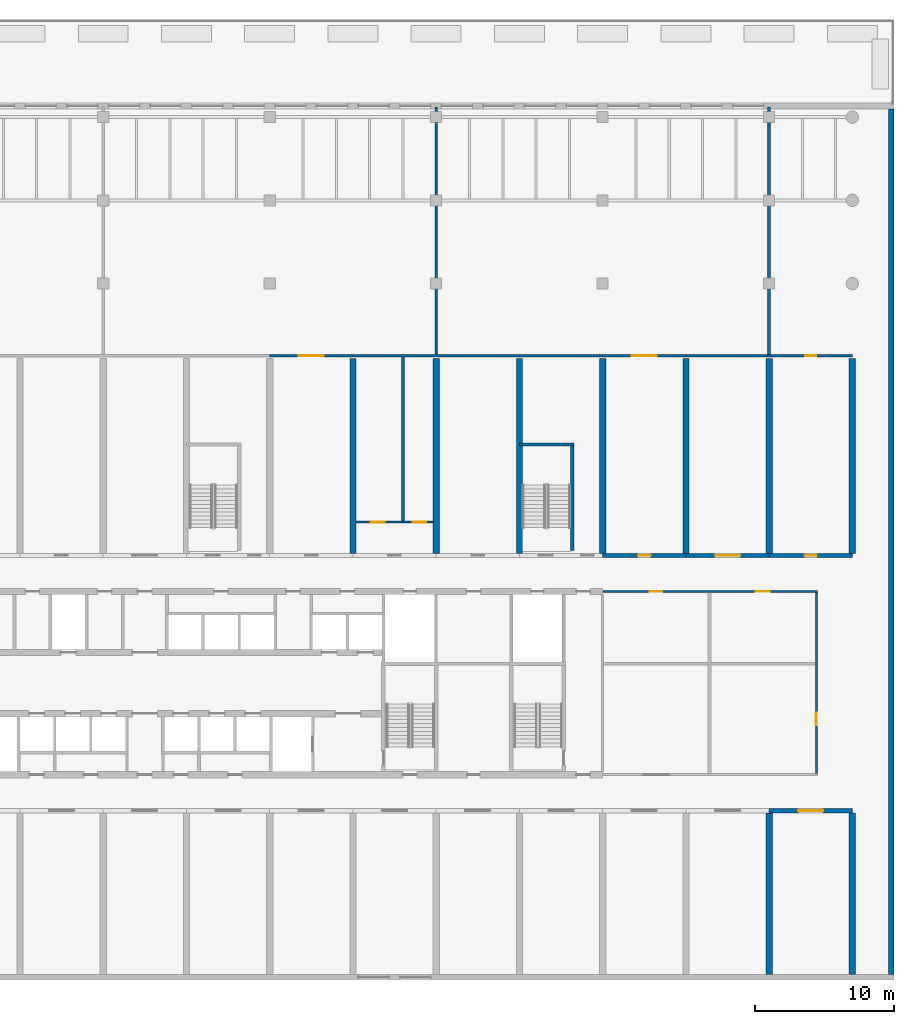
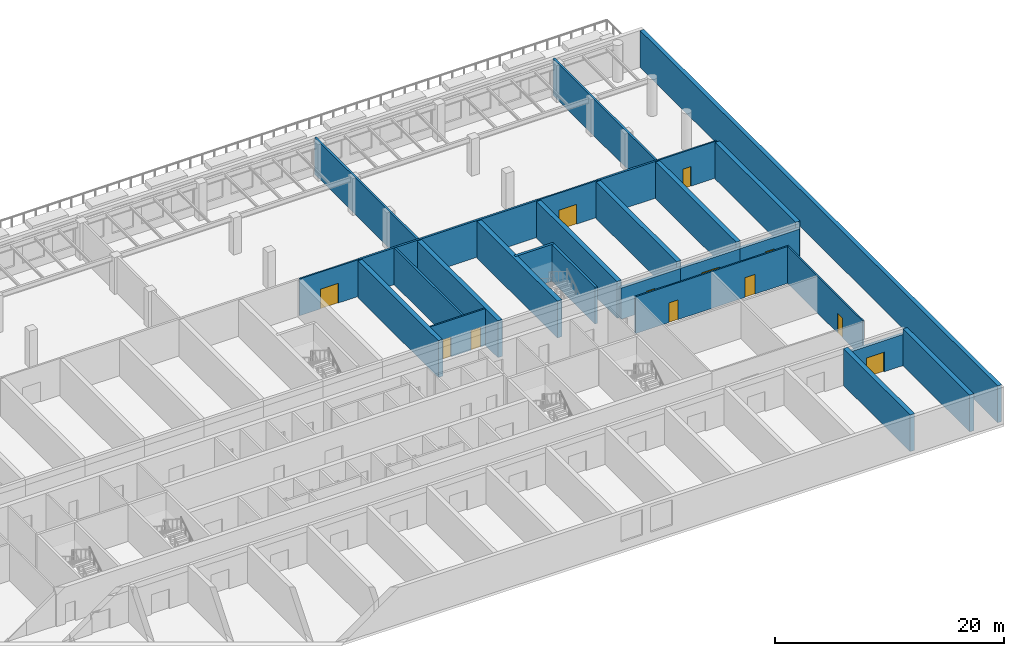
# One storey, part 11 of 15: 27 walls, 12 doors, 12 openings.
"""IFC4 building model written with IfcOpenShell, lengths in metres."""

from ifc_helpers import new_model, si_unit, direction, frame, frame_2d, origin, place, context, subcontext, project, spatial, rectangle, extrude, material, layer, layer_set, type_object, element, fill, save


model = new_model("IFC4")

# Units and contexts
model_context = context("Model", 3, precision=1e-05, world=origin(), true_north=direction((0.0, 1.0)))
body_context = subcontext(model_context, "Body", "Model", "MODEL_VIEW")
ifc_project = project(units=[si_unit("LENGTHUNIT", "METRE"), si_unit("AREAUNIT", "SQUARE_METRE"), si_unit("VOLUMEUNIT", "CUBIC_METRE"), si_unit("PLANEANGLEUNIT", "RADIAN"), si_unit("MASSUNIT", "GRAM", prefix="KILO")], contexts=[model_context])

# Site, building, storey
site_placement = place(None, origin())
site = spatial("IfcSite", under=ifc_project, at=site_placement, CompositionType="ELEMENT")
building_placement = place(site_placement, origin())
building = spatial("IfcBuilding", under=site, at=building_placement, Name="Poui Terraces", CompositionType="ELEMENT")
storey_placement = place(building_placement, frame((0.0, 0.0, 10.800048828125)))
storey = spatial("IfcBuildingStorey", under=building, at=storey_placement, Name="L02", CompositionType="ELEMENT", Elevation=10.800048828125)

# Walls
ifc_material_1 = material(Name="Fire-rated masonry wall", Category="masonry")
ifc_layer_1 = layer(ifc_material_1, 0.199951171875)
ifc_layer_set_1 = layer_set([ifc_layer_1], Name="Fire-rated masonry wall")
wall_type_1 = type_object("IfcWallType", Name="COMPARTMENT WALL 200", PredefinedType="PARTITIONING", material=ifc_layer_set_1)
wall_1_placement = place(storey_placement, frame((66.0, 44.800048828125, 0.0), z_axis=(0.0, 0.0, 1.0), x_axis=(1.0, 0.0, 0.0)))
element("IfcWall", 1, at=wall_1_placement, inside=storey, type_object=wall_type_1, Name="COMPARTMENT WALL 200", PredefinedType="PARTITIONING", context=body_context, shape_type="SweptSolid", body=[
    extrude(rectangle(XDim=18.0, YDim=0.199951171875, at=frame_2d((9.0, 0.0))), origin(), (0.0, 0.0, 1.0), 3.919921875),
])
wall_2_placement = place(storey_placement, frame((90.0, 44.800048828125, 0.0), z_axis=(0.0, 0.0, 1.0), x_axis=(1.0, 0.0, 0.0)))
element("IfcWall", 2, at=wall_2_placement, inside=storey, type_object=wall_type_1, Name="COMPARTMENT WALL 200", PredefinedType="PARTITIONING", context=body_context, shape_type="SweptSolid", body=[
    extrude(rectangle(XDim=6.10009765625, YDim=0.199951171875, at=frame_2d((3.050048828125, 0.0))), origin(), (0.0, 0.0, 1.0), 3.919921875),
])
wall_3_placement = place(storey_placement, frame((69.60009765625, 32.875, 0.0), z_axis=(0.0, 0.0, 1.0), x_axis=(0.0, 1.0, 0.0)))
element("IfcWall", 3, at=wall_3_placement, inside=storey, type_object=wall_type_1, Name="COMPARTMENT WALL 200", PredefinedType="PARTITIONING", context=body_context, shape_type="SweptSolid", body=[
    extrude(rectangle(XDim=11.824951171875, YDim=0.199951171875, at=frame_2d((5.91259765625, 0.0))), origin(), (0.0, 0.0, 1.0), 3.919921875),
])
for number, where, z_axis, x_axis, name in (
    (4, (72.0, 44.89990234375, 0.0), (0.0, 0.0, 1.0), (0.0, 1.0, 0.0), "COMPARTMENT WALL 200"),
    (5, (96.0, 44.89990234375, 0.0), (0.0, 0.0, 1.0), (0.0, 1.0, 0.0), "COMPARTMENT WALL 200"),
):
    element("IfcWall", number, at=place(storey_placement, frame(where, z_axis=z_axis, x_axis=x_axis)), inside=storey, type_object=wall_type_1, Name=name, PredefinedType="PARTITIONING", context=body_context, shape_type="SweptSolid", body=[
        extrude(rectangle(XDim=17.840087890625, YDim=0.199951171875, at=frame_2d((8.919921875, 0.0))), origin(), (0.0, 0.0, 1.0), 3.919921875),
    ])

# Wall, openings, doors
ifc_material_2 = material(Name="Fire-rated plasterboard wall")
ifc_layer_2 = layer(ifc_material_2, 0.14990234375)
ifc_layer_set_2 = layer_set([ifc_layer_2], Name="Fire-rated plasterboard wall")
wall_type_2 = type_object("IfcWallType", Name="CORRIDOR WALL 150", PredefinedType="PARTITIONING", material=ifc_layer_set_2)
wall_4_placement = place(storey_placement, frame((84.010009765625, 27.800048828125, 0.0), z_axis=(0.0, 0.0, 1.0), x_axis=(1.0, 0.0, 0.0)))
wall_4 = element("IfcWall", 6, at=wall_4_placement, inside=storey, type_object=wall_type_2, Name="CORRIDOR WALL 150", PredefinedType="PARTITIONING", context=body_context, shape_type="SweptSolid", body=[
    extrude(rectangle(XDim=15.465087890625, YDim=0.14990234375, at=frame_2d((7.732421875, 0.0))), origin(), (0.0, 0.0, 1.0), 3.919921875),
])
opening_1_placement = place(wall_4_placement, frame((3.389892578125, 0.0, 0.0)))
opening_1 = element("IfcOpeningElement", 7, at=opening_1_placement, cuts=wall_4, Name="Opening D90", PredefinedType="OPENING", context=body_context, shape_type="SweptSolid", body=[
    extrude(rectangle(XDim=0.89990234375, YDim=2.10009765625, at=frame_2d((0.449951171875, 1.050048828125))), frame((0.0, 0.0849609375, 0.0), z_axis=(0.0, -1.0, 0.0), x_axis=(1.0, 0.0, 0.0)), (0.0, 0.0, 1.0), 0.169921875),
])
opening_2_placement = place(wall_4_placement, frame((11.0400390625, 0.0, 0.0)))
opening_2 = element("IfcOpeningElement", 8, at=opening_2_placement, cuts=wall_4, Name="Opening D100", PredefinedType="OPENING", context=body_context, shape_type="SweptSolid", body=[
    extrude(rectangle(XDim=1.0, YDim=2.10009765625, at=frame_2d((0.5, 1.050048828125))), frame((0.0, 0.0849609375, 0.0), z_axis=(0.0, -1.0, 0.0), x_axis=(1.0, 0.0, 0.0)), (0.0, 0.0, 1.0), 0.169921875),
])
ifc_material_3 = material(Name="Solid core timber door", Category="wood")
door_type_1 = type_object("IfcDoorType", Name="ACCESSIBLE INTERNAL DOOR 1000 X 2100", OperationType="NOTDEFINED", PredefinedType="DOOR", material=ifc_material_3)
door_1_placement = place(opening_2_placement, origin())
door_1 = element("IfcDoor", 9, at=door_1_placement, inside=storey, type_object=door_type_1, Name="ACCESSIBLE INTERNAL DOOR 039", OperationType="SINGLE_SWING_RIGHT", OverallHeight=2.10009765625, OverallWidth=1.0, PredefinedType="DOOR", context=body_context, shape_type="SweptSolid", body=[
    extrude(rectangle(XDim=1.0, YDim=2.10009765625, at=frame_2d((0.5, 1.050048828125))), frame((0.0, 0.02490234375, 0.0), z_axis=(0.0, -1.0, 0.0), x_axis=(1.0, 0.0, 0.0)), (0.0, 0.0, 1.0), 0.050048828125),
])
fill(opening_2, door_1)
door_type_2 = type_object("IfcDoorType", Name="INTERNAL DOOR 900 X 2100", OperationType="NOTDEFINED", PredefinedType="DOOR", material=ifc_material_3)
door_2_placement = place(opening_1_placement, origin())
door_2 = element("IfcDoor", 10, at=door_2_placement, inside=storey, type_object=door_type_2, Name="INTERNAL DOOR 037", OperationType="SINGLE_SWING_LEFT", OverallHeight=2.10009765625, OverallWidth=0.89990234375, PredefinedType="DOOR", context=body_context, shape_type="SweptSolid", body=[
    extrude(rectangle(XDim=0.89990234375, YDim=2.10009765625, at=frame_2d((0.449951171875, 1.050048828125))), frame((0.0, 0.02490234375, 0.0), z_axis=(0.0, -1.0, 0.0), x_axis=(1.0, 0.0, 0.0)), (0.0, 0.0, 1.0), 0.050048828125),
])
fill(opening_1, door_2)

wall_5_placement = place(storey_placement, frame((66.235107421875, 32.800048828125, 0.0), z_axis=(0.0, 0.0, 1.0), x_axis=(1.0, 0.0, 0.0)))
wall_5 = element("IfcWall", 11, at=wall_5_placement, inside=storey, type_object=wall_type_2, Name="CORRIDOR WALL 150", PredefinedType="PARTITIONING", context=body_context, shape_type="SweptSolid", body=[
    extrude(rectangle(XDim=5.52978515625, YDim=0.14990234375, at=frame_2d((2.764892578125, 0.0))), origin(), (0.0, 0.0, 1.0), 3.919921875),
])
opening_3_placement = place(wall_5_placement, frame((1.06494140625, 0.0, 0.0)))
opening_3 = element("IfcOpeningElement", 12, at=opening_3_placement, cuts=wall_5, Name="Opening D100", PredefinedType="OPENING", context=body_context, shape_type="SweptSolid", body=[
    extrude(rectangle(XDim=1.0, YDim=2.10009765625, at=frame_2d((0.5, 1.050048828125))), frame((0.0, 0.0849609375, 0.0), z_axis=(0.0, -1.0, 0.0), x_axis=(1.0, 0.0, 0.0)), (0.0, 0.0, 1.0), 0.169921875),
])
opening_4_placement = place(wall_5_placement, frame((4.06494140625, 0.0, 0.0)))
opening_4 = element("IfcOpeningElement", 13, at=opening_4_placement, cuts=wall_5, Name="Opening D100", PredefinedType="OPENING", context=body_context, shape_type="SweptSolid", body=[
    extrude(rectangle(XDim=1.0, YDim=2.10009765625, at=frame_2d((0.5, 1.050048828125))), frame((0.0, 0.0849609375, 0.0), z_axis=(0.0, -1.0, 0.0), x_axis=(1.0, 0.0, 0.0)), (0.0, 0.0, 1.0), 0.169921875),
])
door_3_placement = place(opening_3_placement, frame((1.0, 0.0, 0.0), z_axis=(0.0, 0.0, 1.0), x_axis=(-1.0, 0.0, 0.0)))
door_3 = element("IfcDoor", 14, at=door_3_placement, inside=storey, type_object=door_type_1, Name="ACCESSIBLE INTERNAL DOOR 074", OperationType="SINGLE_SWING_RIGHT", OverallHeight=2.10009765625, OverallWidth=1.0, PredefinedType="DOOR", context=body_context, shape_type="SweptSolid", body=[
    extrude(rectangle(XDim=1.0, YDim=2.10009765625, at=frame_2d((0.5, 1.050048828125))), frame((0.0, 0.02490234375, 0.0), z_axis=(0.0, -1.0, 0.0), x_axis=(1.0, 0.0, 0.0)), (0.0, 0.0, 1.0), 0.050048828125),
])
fill(opening_3, door_3)
door_4_placement = place(opening_4_placement, frame((1.0, 0.0, 0.0), z_axis=(0.0, 0.0, 1.0), x_axis=(-1.0, 0.0, 0.0)))
door_4 = element("IfcDoor", 15, at=door_4_placement, inside=storey, type_object=door_type_1, Name="ACCESSIBLE INTERNAL DOOR 075", OperationType="SINGLE_SWING_LEFT", OverallHeight=2.10009765625, OverallWidth=1.0, PredefinedType="DOOR", context=body_context, shape_type="SweptSolid", body=[
    extrude(rectangle(XDim=1.0, YDim=2.10009765625, at=frame_2d((0.5, 1.050048828125))), frame((0.0, 0.02490234375, 0.0), z_axis=(0.0, -1.0, 0.0), x_axis=(1.0, 0.0, 0.0)), (0.0, 0.0, 1.0), 0.050048828125),
])
fill(opening_4, door_4)

# Wall, opening, door
wall_6_placement = place(storey_placement, frame((60.0, 44.800048828125, 0.0), z_axis=(0.0, 0.0, 1.0), x_axis=(1.0, 0.0, 0.0)))
wall_6 = element("IfcWall", 16, at=wall_6_placement, inside=storey, type_object=wall_type_2, Name="CORRIDOR WALL 150", PredefinedType="PARTITIONING", context=body_context, shape_type="SweptSolid", body=[
    extrude(rectangle(XDim=6.0, YDim=0.14990234375, at=frame_2d((3.0, 0.0))), origin(), (0.0, 0.0, 1.0), 3.919921875),
])
opening_5_placement = place(wall_6_placement, frame((2.10009765625, 0.0, 0.0)))
opening_5 = element("IfcOpeningElement", 17, at=opening_5_placement, cuts=wall_6, Name="Opening DD180", PredefinedType="OPENING", context=body_context, shape_type="SweptSolid", body=[
    extrude(rectangle(XDim=1.800048828125, YDim=2.10009765625, at=frame_2d((0.89990234375, 1.050048828125))), frame((0.0, 0.0849609375, 0.0), z_axis=(0.0, -1.0, 0.0), x_axis=(1.0, 0.0, 0.0)), (0.0, 0.0, 1.0), 0.169921875),
])
ifc_material_4 = material(Name="Steel fire door", Category="steel")
door_type_3 = type_object("IfcDoorType", Name="DOUBLE INTERNAL DOOR 1800 X 2100", OperationType="DOUBLE_DOOR_SINGLE_SWING", PredefinedType="DOOR", material=ifc_material_4)
door_5_placement = place(opening_5_placement, frame((1.800048828125, 0.0, 0.0), z_axis=(0.0, 0.0, 1.0), x_axis=(-1.0, 0.0, 0.0)))
door_5 = element("IfcDoor", 18, at=door_5_placement, inside=storey, type_object=door_type_3, Name="DOUBLE INTERNAL DOOR 078", OperationType="DOUBLE_DOOR_SINGLE_SWING", OverallHeight=2.10009765625, OverallWidth=1.800048828125, PredefinedType="DOOR", context=body_context, shape_type="SweptSolid", body=[
    extrude(rectangle(XDim=1.800048828125, YDim=2.10009765625, at=frame_2d((0.89990234375, 1.050048828125))), frame((0.0, 0.02490234375, 0.0), z_axis=(0.0, -1.0, 0.0), x_axis=(1.0, 0.0, 0.0)), (0.0, 0.0, 1.0), 0.050048828125),
])
fill(opening_5, door_5)

wall_7_placement = place(storey_placement, frame((84.0, 44.800048828125, 0.0), z_axis=(0.0, 0.0, 1.0), x_axis=(1.0, 0.0, 0.0)))
wall_7 = element("IfcWall", 19, at=wall_7_placement, inside=storey, type_object=wall_type_2, Name="CORRIDOR WALL 150", PredefinedType="PARTITIONING", context=body_context, shape_type="SweptSolid", body=[
    extrude(rectangle(XDim=6.0, YDim=0.14990234375, at=frame_2d((3.0, 0.0))), origin(), (0.0, 0.0, 1.0), 3.919921875),
])
opening_6_placement = place(wall_7_placement, frame((2.10009765625, 0.0, 0.0)))
opening_6 = element("IfcOpeningElement", 20, at=opening_6_placement, cuts=wall_7, Name="Opening DD180", PredefinedType="OPENING", context=body_context, shape_type="SweptSolid", body=[
    extrude(rectangle(XDim=1.800048828125, YDim=2.10009765625, at=frame_2d((0.89990234375, 1.050048828125))), frame((0.0, 0.0849609375, 0.0), z_axis=(0.0, -1.0, 0.0), x_axis=(1.0, 0.0, 0.0)), (0.0, 0.0, 1.0), 0.169921875),
])
door_6_placement = place(opening_6_placement, frame((1.800048828125, 0.0, 0.0), z_axis=(0.0, 0.0, 1.0), x_axis=(-1.0, 0.0, 0.0)))
door_6 = element("IfcDoor", 21, at=door_6_placement, inside=storey, type_object=door_type_3, Name="DOUBLE INTERNAL DOOR 079", OperationType="DOUBLE_DOOR_SINGLE_SWING", OverallHeight=2.10009765625, OverallWidth=1.800048828125, PredefinedType="DOOR", context=body_context, shape_type="SweptSolid", body=[
    extrude(rectangle(XDim=1.800048828125, YDim=2.10009765625, at=frame_2d((0.89990234375, 1.050048828125))), frame((0.0, 0.02490234375, 0.0), z_axis=(0.0, -1.0, 0.0), x_axis=(1.0, 0.0, 0.0)), (0.0, 0.0, 1.0), 0.050048828125),
])
fill(opening_6, door_6)

wall_8_placement = place(storey_placement, frame((95.89990234375, 44.800048828125, 0.0), z_axis=(0.0, 0.0, 1.0), x_axis=(1.0, 0.0, 0.0)))
wall_8 = element("IfcWall", 22, at=wall_8_placement, inside=storey, type_object=wall_type_2, Name="CORRIDOR WALL 150", PredefinedType="PARTITIONING", context=body_context, shape_type="SweptSolid", body=[
    extrude(rectangle(XDim=6.10009765625, YDim=0.14990234375, at=frame_2d((3.050048828125, 0.0))), origin(), (0.0, 0.0, 1.0), 3.919921875),
])
opening_7_placement = place(wall_8_placement, frame((2.699951171875, 0.0, 0.0)))
opening_7 = element("IfcOpeningElement", 23, at=opening_7_placement, cuts=wall_8, Name="Opening D80", PredefinedType="OPENING", context=body_context, shape_type="SweptSolid", body=[
    extrude(rectangle(XDim=0.800048828125, YDim=2.10009765625, at=frame_2d((0.39990234375, 1.050048828125))), frame((0.0, 0.0849609375, 0.0), z_axis=(0.0, -1.0, 0.0), x_axis=(1.0, 0.0, 0.0)), (0.0, 0.0, 1.0), 0.169921875),
])
door_type_4 = type_object("IfcDoorType", Name="BATHROOM, LAUNDRY AND STORE DOOR 800 X 2100", OperationType="NOTDEFINED", PredefinedType="DOOR", material=ifc_material_3)
door_7_placement = place(opening_7_placement, frame((0.800048828125, 0.0, 0.0), z_axis=(0.0, 0.0, 1.0), x_axis=(-1.0, 0.0, 0.0)))
door_7 = element("IfcDoor", 24, at=door_7_placement, inside=storey, type_object=door_type_4, Name="BATHROOM, LAUNDRY AND STORE DOOR 080", OperationType="SINGLE_SWING_RIGHT", OverallHeight=2.10009765625, OverallWidth=0.800048828125, PredefinedType="DOOR", context=body_context, shape_type="SweptSolid", body=[
    extrude(rectangle(XDim=0.800048828125, YDim=2.10009765625, at=frame_2d((0.39990234375, 1.050048828125))), frame((0.0, 0.02490234375, 0.0), z_axis=(0.0, -1.0, 0.0), x_axis=(1.0, 0.0, 0.0)), (0.0, 0.0, 1.0), 0.050048828125),
])
fill(opening_7, door_7)

wall_9_placement = place(storey_placement, frame((99.39990234375, 14.675048828125, 0.0), z_axis=(0.0, 0.0, 1.0), x_axis=(0.0, 1.0, 0.0)))
wall_9 = element("IfcWall", 25, at=wall_9_placement, inside=storey, type_object=wall_type_2, Name="CORRIDOR WALL 150", PredefinedType="PARTITIONING", context=body_context, shape_type="SweptSolid", body=[
    extrude(rectangle(XDim=13.050048828125, YDim=0.14990234375, at=frame_2d((6.52490234375, 0.0))), origin(), (0.0, 0.0, 1.0), 3.919921875),
])
opening_8_placement = place(wall_9_placement, frame((3.47509765625, 0.0, 0.0)))
opening_8 = element("IfcOpeningElement", 26, at=opening_8_placement, cuts=wall_9, Name="Opening D90", PredefinedType="OPENING", context=body_context, shape_type="SweptSolid", body=[
    extrude(rectangle(XDim=0.89990234375, YDim=2.10009765625, at=frame_2d((0.449951171875, 1.050048828125))), frame((0.0, 0.0849609375, 0.0), z_axis=(0.0, -1.0, 0.0), x_axis=(1.0, 0.0, 0.0)), (0.0, 0.0, 1.0), 0.169921875),
])
door_8_placement = place(opening_8_placement, frame((0.89990234375, 0.0, 0.0), z_axis=(0.0, 0.0, 1.0), x_axis=(-1.0, 0.0, 0.0)))
door_8 = element("IfcDoor", 27, at=door_8_placement, inside=storey, type_object=door_type_2, Name="INTERNAL DOOR 001", OperationType="SINGLE_SWING_RIGHT", OverallHeight=2.10009765625, OverallWidth=0.89990234375, PredefinedType="DOOR", context=body_context, shape_type="SweptSolid", body=[
    extrude(rectangle(XDim=0.89990234375, YDim=2.10009765625, at=frame_2d((0.449951171875, 1.050048828125))), frame((0.0, 0.02490234375, 0.0), z_axis=(0.0, -1.0, 0.0), x_axis=(1.0, 0.0, 0.0)), (0.0, 0.0, 1.0), 0.050048828125),
])
fill(opening_8, door_8)

ifc_material_5 = material(Name="Concrete 80 MPa", Category="concrete")
ifc_layer_3 = layer(ifc_material_5, 0.300048828125)
ifc_layer_set_3 = layer_set([ifc_layer_3], Name="Concrete 80 MPa")
wall_type_3 = type_object("IfcWallType", Name="CORRIDOR WALL 300 80MPa", PredefinedType="SHEAR", material=ifc_layer_set_3)
wall_10_placement = place(storey_placement, frame((96.0, 12.0, 0.0), z_axis=(0.0, 0.0, 1.0), x_axis=(1.0, 0.0, 0.0)))
wall_10 = element("IfcWall", 28, at=wall_10_placement, inside=storey, type_object=wall_type_3, Name="CORRIDOR WALL LINE B BAY 17", PredefinedType="SHEAR", context=body_context, shape_type="SweptSolid", body=[
    extrude(rectangle(XDim=6.0, YDim=0.300048828125, at=frame_2d((3.0, 0.0))), origin(), (0.0, 0.0, 1.0), 3.320068359375),
])
opening_9_placement = place(wall_10_placement, frame((2.10009765625, 0.0, 0.0)))
opening_9 = element("IfcOpeningElement", 29, at=opening_9_placement, cuts=wall_10, Name="Opening DD180", PredefinedType="OPENING", context=body_context, shape_type="SweptSolid", body=[
    extrude(rectangle(XDim=1.800048828125, YDim=2.10009765625, at=frame_2d((0.89990234375, 1.050048828125))), frame((0.0, 0.16015625, 0.0), z_axis=(0.0, -1.0, 0.0), x_axis=(1.0, 0.0, 0.0)), (0.0, 0.0, 1.0), 0.320068359375),
])
door_9_placement = place(opening_9_placement, origin())
door_9 = element("IfcDoor", 30, at=door_9_placement, inside=storey, type_object=door_type_3, Name="DOUBLE INTERNAL DOOR 070", OperationType="DOUBLE_DOOR_SINGLE_SWING", OverallHeight=2.10009765625, OverallWidth=1.800048828125, PredefinedType="DOOR", context=body_context, shape_type="SweptSolid", body=[
    extrude(rectangle(XDim=1.800048828125, YDim=2.10009765625, at=frame_2d((0.89990234375, 1.050048828125))), frame((0.0, 0.02490234375, 0.0), z_axis=(0.0, -1.0, 0.0), x_axis=(1.0, 0.0, 0.0)), (0.0, 0.0, 1.0), 0.050048828125),
])
fill(opening_9, door_9)

wall_11_placement = place(storey_placement, frame((84.0, 30.39990234375, 0.0), z_axis=(0.0, 0.0, 1.0), x_axis=(1.0, 0.0, 0.0)))
wall_11 = element("IfcWall", 31, at=wall_11_placement, inside=storey, type_object=wall_type_3, Name="CORRIDOR WALL LINE E BAY 15", PredefinedType="SHEAR", context=body_context, shape_type="SweptSolid", body=[
    extrude(rectangle(XDim=6.0, YDim=0.300048828125, at=frame_2d((3.0, 0.0))), origin(), (0.0, 0.0, 1.0), 3.320068359375),
])
opening_10_placement = place(wall_11_placement, frame((2.550048828125, 0.0, 0.0)))
opening_10 = element("IfcOpeningElement", 32, at=opening_10_placement, cuts=wall_11, Name="Opening D90", PredefinedType="OPENING", context=body_context, shape_type="SweptSolid", body=[
    extrude(rectangle(XDim=0.89990234375, YDim=2.10009765625, at=frame_2d((0.449951171875, 1.050048828125))), frame((0.0, 0.16015625, 0.0), z_axis=(0.0, -1.0, 0.0), x_axis=(1.0, 0.0, 0.0)), (0.0, 0.0, 1.0), 0.320068359375),
])
door_10_placement = place(opening_10_placement, frame((0.89990234375, 0.0, 0.0), z_axis=(0.0, 0.0, 1.0), x_axis=(-1.0, 0.0, 0.0)))
door_10 = element("IfcDoor", 33, at=door_10_placement, inside=storey, type_object=door_type_2, Name="INTERNAL DOOR 036", OperationType="SINGLE_SWING_LEFT", OverallHeight=2.10009765625, OverallWidth=0.89990234375, PredefinedType="DOOR", context=body_context, shape_type="SweptSolid", body=[
    extrude(rectangle(XDim=0.89990234375, YDim=2.10009765625, at=frame_2d((0.449951171875, 1.050048828125))), frame((0.0, 0.02490234375, 0.0), z_axis=(0.0, -1.0, 0.0), x_axis=(1.0, 0.0, 0.0)), (0.0, 0.0, 1.0), 0.050048828125),
])
fill(opening_10, door_10)

wall_12_placement = place(storey_placement, frame((90.0, 30.39990234375, 0.0), z_axis=(0.0, 0.0, 1.0), x_axis=(1.0, 0.0, 0.0)))
wall_12 = element("IfcWall", 34, at=wall_12_placement, inside=storey, type_object=wall_type_3, Name="CORRIDOR WALL LINE E BAY 16", PredefinedType="SHEAR", context=body_context, shape_type="SweptSolid", body=[
    extrude(rectangle(XDim=6.0, YDim=0.300048828125, at=frame_2d((3.0, 0.0))), origin(), (0.0, 0.0, 1.0), 3.320068359375),
])
opening_11_placement = place(wall_12_placement, frame((2.10009765625, 0.0, 0.0)))
opening_11 = element("IfcOpeningElement", 35, at=opening_11_placement, cuts=wall_12, Name="Opening DD180", PredefinedType="OPENING", context=body_context, shape_type="SweptSolid", body=[
    extrude(rectangle(XDim=1.800048828125, YDim=2.10009765625, at=frame_2d((0.89990234375, 1.050048828125))), frame((0.0, 0.16015625, 0.0), z_axis=(0.0, -1.0, 0.0), x_axis=(1.0, 0.0, 0.0)), (0.0, 0.0, 1.0), 0.320068359375),
])
door_11_placement = place(opening_11_placement, frame((1.800048828125, 0.0, 0.0), z_axis=(0.0, 0.0, 1.0), x_axis=(-1.0, 0.0, 0.0)))
door_11 = element("IfcDoor", 36, at=door_11_placement, inside=storey, type_object=door_type_3, Name="DOUBLE INTERNAL DOOR 038", OperationType="DOUBLE_DOOR_SINGLE_SWING", OverallHeight=2.10009765625, OverallWidth=1.800048828125, PredefinedType="DOOR", context=body_context, shape_type="SweptSolid", body=[
    extrude(rectangle(XDim=1.800048828125, YDim=2.10009765625, at=frame_2d((0.89990234375, 1.050048828125))), frame((0.0, 0.02490234375, 0.0), z_axis=(0.0, -1.0, 0.0), x_axis=(1.0, 0.0, 0.0)), (0.0, 0.0, 1.0), 0.050048828125),
])
fill(opening_11, door_11)

wall_13_placement = place(storey_placement, frame((96.0, 30.39990234375, 0.0), z_axis=(0.0, 0.0, 1.0), x_axis=(1.0, 0.0, 0.0)))
wall_13 = element("IfcWall", 37, at=wall_13_placement, inside=storey, type_object=wall_type_3, Name="CORRIDOR WALL LINE E BAY 17", PredefinedType="SHEAR", context=body_context, shape_type="SweptSolid", body=[
    extrude(rectangle(XDim=6.0, YDim=0.300048828125, at=frame_2d((3.0, 0.0))), origin(), (0.0, 0.0, 1.0), 3.320068359375),
])
opening_12_placement = place(wall_13_placement, frame((2.550048828125, 0.0, 0.0)))
opening_12 = element("IfcOpeningElement", 38, at=opening_12_placement, cuts=wall_13, Name="Opening D90", PredefinedType="OPENING", context=body_context, shape_type="SweptSolid", body=[
    extrude(rectangle(XDim=0.89990234375, YDim=2.10009765625, at=frame_2d((0.449951171875, 1.050048828125))), frame((0.0, 0.16015625, 0.0), z_axis=(0.0, -1.0, 0.0), x_axis=(1.0, 0.0, 0.0)), (0.0, 0.0, 1.0), 0.320068359375),
])
door_12_placement = place(opening_12_placement, frame((0.89990234375, 0.0, 0.0), z_axis=(0.0, 0.0, 1.0), x_axis=(-1.0, 0.0, 0.0)))
door_12 = element("IfcDoor", 39, at=door_12_placement, inside=storey, type_object=door_type_2, Name="INTERNAL DOOR 040", OperationType="SINGLE_SWING_LEFT", OverallHeight=2.10009765625, OverallWidth=0.89990234375, PredefinedType="DOOR", context=body_context, shape_type="SweptSolid", body=[
    extrude(rectangle(XDim=0.89990234375, YDim=2.10009765625, at=frame_2d((0.449951171875, 1.050048828125))), frame((0.0, 0.02490234375, 0.0), z_axis=(0.0, -1.0, 0.0), x_axis=(1.0, 0.0, 0.0)), (0.0, 0.0, 1.0), 0.050048828125),
])
fill(opening_12, door_12)

# Walls
ifc_layer_4 = layer(ifc_material_5, 0.449951171875)
ifc_layer_set_4 = layer_set([ifc_layer_4], Name="Concrete 80 MPa")
wall_type_4 = type_object("IfcWallType", Name="CROSS WALL 450 80MPa", PredefinedType="SHEAR", material=ifc_layer_set_4)
for number, where, z_axis, x_axis, name in (
    (40, (66.0, 30.550048828125, 0.0), (0.0, 0.0, 1.0), (0.0, 1.0, 0.0), "CROSS WALL LINE 12 NORTH"),
    (41, (72.0, 30.550048828125, 0.0), (0.0, 0.0, 1.0), (0.0, 1.0, 0.0), "CROSS WALL LINE 13 NORTH"),
    (42, (78.0, 30.550048828125, 0.0), (0.0, 0.0, 1.0), (0.0, 1.0, 0.0), "CROSS WALL LINE 14 NORTH"),
    (43, (84.0, 30.550048828125, 0.0), (0.0, 0.0, 1.0), (0.0, 1.0, 0.0), "CROSS WALL LINE 15 NORTH"),
    (44, (90.0, 30.550048828125, 0.0), (0.0, 0.0, 1.0), (0.0, 1.0, 0.0), "CROSS WALL LINE 16 NORTH"),
):
    element("IfcWall", number, at=place(storey_placement, frame(where, z_axis=z_axis, x_axis=x_axis)), inside=storey, type_object=wall_type_4, Name=name, PredefinedType="SHEAR", context=body_context, shape_type="SweptSolid", body=[
        extrude(rectangle(XDim=14.050048828125, YDim=0.449951171875, at=frame_2d((7.02490234375, 0.0))), origin(), (0.0, 0.0, 1.0), 3.919921875),
    ])
wall_14_placement = place(storey_placement, frame((96.0, 0.199951171875, 0.0), z_axis=(0.0, 0.0, 1.0), x_axis=(0.0, 1.0, 0.0)))
element("IfcWall", 45, at=wall_14_placement, inside=storey, type_object=wall_type_4, Name="CROSS WALL LINE 17 SOUTH", PredefinedType="SHEAR", context=body_context, shape_type="SweptSolid", body=[
    extrude(rectangle(XDim=11.650146484375, YDim=0.449951171875, at=frame_2d((5.8251953125, 0.0))), origin(), (0.0, 0.0, 1.0), 3.919921875),
])
wall_15_placement = place(storey_placement, frame((96.0, 30.550048828125, 0.0), z_axis=(0.0, 0.0, 1.0), x_axis=(0.0, 1.0, 0.0)))
element("IfcWall", 46, at=wall_15_placement, inside=storey, type_object=wall_type_4, Name="CROSS WALL LINE 17 NORTH", PredefinedType="SHEAR", context=body_context, shape_type="SweptSolid", body=[
    extrude(rectangle(XDim=14.050048828125, YDim=0.449951171875, at=frame_2d((7.02490234375, 0.0))), origin(), (0.0, 0.0, 1.0), 3.919921875),
])
wall_16_placement = place(storey_placement, frame((102.0, 0.199951171875, 0.0), z_axis=(0.0, 0.0, 1.0), x_axis=(0.0, 1.0, 0.0)))
element("IfcWall", 47, at=wall_16_placement, inside=storey, type_object=wall_type_4, Name="CROSS WALL LINE 18 SOUTH", PredefinedType="SHEAR", context=body_context, shape_type="SweptSolid", body=[
    extrude(rectangle(XDim=11.650146484375, YDim=0.449951171875, at=frame_2d((5.8251953125, 0.0))), origin(), (0.0, 0.0, 1.0), 3.919921875),
])
wall_17_placement = place(storey_placement, frame((102.0, 30.550048828125, 0.0), z_axis=(0.0, 0.0, 1.0), x_axis=(0.0, 1.0, 0.0)))
element("IfcWall", 48, at=wall_17_placement, inside=storey, type_object=wall_type_4, Name="CROSS WALL LINE 18 NORTH", PredefinedType="SHEAR", context=body_context, shape_type="SweptSolid", body=[
    extrude(rectangle(XDim=14.050048828125, YDim=0.449951171875, at=frame_2d((7.02490234375, 0.0))), origin(), (0.0, 0.0, 1.0), 3.919921875),
])
ifc_material_6 = material(Name="Precast concrete 40 MPa", Category="concrete")
ifc_layer_5 = layer(ifc_material_6, 0.39990234375)
ifc_layer_set_5 = layer_set([ifc_layer_5], Name="Precast concrete 40 MPa")
wall_type_5 = type_object("IfcWallType", Name="EXTERNAL WALL 400", PredefinedType="STANDARD", material=ifc_layer_set_5)
wall_18_placement = place(storey_placement, frame((104.800048828125, 0.199951171875, 0.0), z_axis=(0.0, 0.0, 1.0), x_axis=(0.0, 1.0, 0.0)))
element("IfcWall", 49, at=wall_18_placement, inside=storey, type_object=wall_type_5, Name="EXTERNAL WALL E", PredefinedType="STANDARD", context=body_context, shape_type="SweptSolid", body=[
    extrude(rectangle(XDim=62.400146484375, YDim=0.39990234375, at=frame_2d((31.2001953125, 0.0))), origin(), (0.0, 0.0, 1.0), 3.919921875),
])
ifc_layer_6 = layer(ifc_material_5, 0.25)
ifc_layer_set_6 = layer_set([ifc_layer_6], Name="Concrete 80 MPa")
wall_type_6 = type_object("IfcWallType", Name="STAIR CORE WALL 250 80 MPA", PredefinedType="SOLIDWALL", material=ifc_layer_set_6)
wall_19_placement = place(storey_placement, frame((81.800048828125, 30.75, 0.0), z_axis=(0.0, 0.0, 1.0), x_axis=(0.0, 1.0, 0.0)))
element("IfcWall", 50, at=wall_19_placement, inside=storey, type_object=wall_type_6, Name="STAIR CORE WALL", PredefinedType="SOLIDWALL", context=body_context, shape_type="SweptSolid", body=[
    extrude(rectangle(XDim=7.52490234375, YDim=0.25, at=frame_2d((3.762451171875, 0.0))), origin(), (0.0, 0.0, 1.0), 3.919921875),
])
wall_20_placement = place(storey_placement, frame((78.0, 38.39990234375, 0.0), z_axis=(0.0, 0.0, 1.0), x_axis=(1.0, 0.0, 0.0)))
element("IfcWall", 51, at=wall_20_placement, inside=storey, type_object=wall_type_6, Name="STAIR CORE WALL", PredefinedType="SOLIDWALL", context=body_context, shape_type="SweptSolid", body=[
    extrude(rectangle(XDim=3.925048828125, YDim=0.25, at=frame_2d((1.96240234375, 0.0))), origin(), (0.0, 0.0, 1.0), 3.919921875),
])

save(model, "model.ifc")
